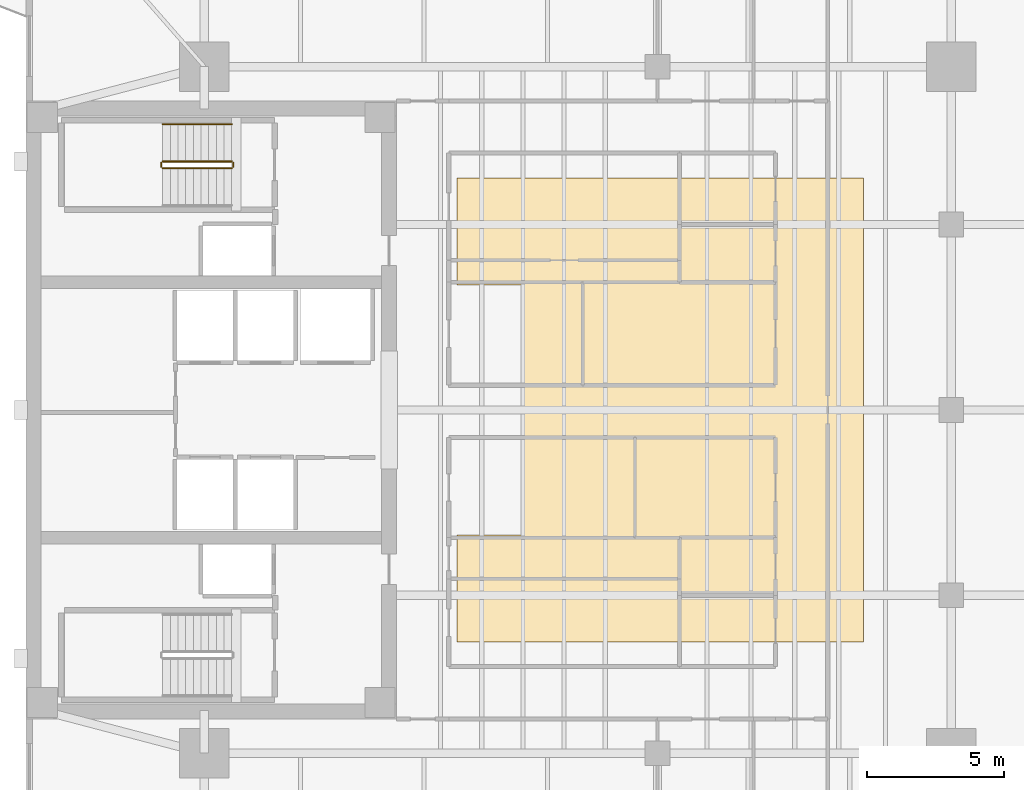
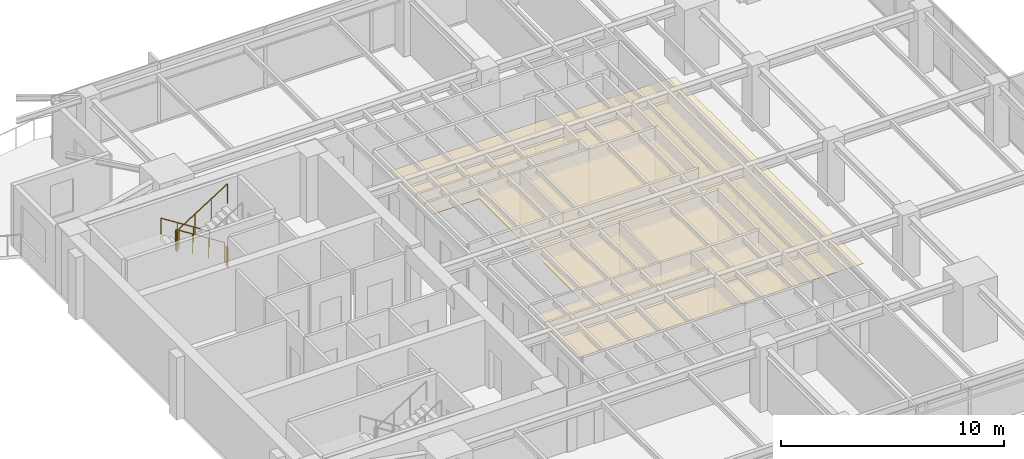
# One storey, part 13 of 14: 5 railings, 1 covering.
"""IFC4 building model written with IfcOpenShell, lengths in metres."""

from ifc_helpers import new_model, si_unit, direction, frame, origin, origin_2d, place, context, subcontext, project, spatial, polyline, circle, outline, extrude, material, layer, layer_set, type_object, element, save


model = new_model("IFC4")

# Units and contexts
model_context = context("Model", 3, precision=1e-05, world=origin(), true_north=direction((0.0, 1.0)))
body_context = subcontext(model_context, "Body", "Model", "MODEL_VIEW")
ifc_project = project(units=[si_unit("LENGTHUNIT", "METRE"), si_unit("AREAUNIT", "SQUARE_METRE"), si_unit("VOLUMEUNIT", "CUBIC_METRE"), si_unit("PLANEANGLEUNIT", "RADIAN"), si_unit("MASSUNIT", "GRAM", prefix="KILO")], contexts=[model_context])

# Site, building, storey
site_placement = place(None, origin())
site = spatial("IfcSite", under=ifc_project, at=site_placement, CompositionType="ELEMENT")
building_placement = place(site_placement, origin())
building = spatial("IfcBuilding", under=site, at=building_placement, Name="Kinhvarn Gate Tower", CompositionType="ELEMENT")
storey_placement = place(building_placement, frame((0.0, 0.0, 216.449951171875)))
storey = spatial("IfcBuildingStorey", under=building, at=storey_placement, Name="L57", CompositionType="ELEMENT", Elevation=216.449951171875)

# Covering
ifc_material_1 = material(Name="Mineral-fibre acoustic ceiling tile")
ifc_layer = layer(ifc_material_1, 0.02001953125)
ifc_layer_set = layer_set([ifc_layer], Name="Mineral-fibre acoustic ceiling tile")
covering_type = type_object("IfcCoveringType", Name="COV-CEIL-20", PredefinedType="CEILING", material=ifc_layer_set)
covering_placement = place(storey_placement, frame((0.0, 0.0, 2.650146484375)))
element("IfcCovering", 1, at=covering_placement, inside=storey, type_object=covering_type, Name="Suspended Acoustic Ceiling Tile (L57-1)", PredefinedType="CEILING", context=body_context, shape_type="SweptSolid", body=[
    extrude(outline(polyline([(35.0, 33.699951171875), (35.0, 16.800048828125), (20.199951171875, 16.800048828125), (20.199951171875, 20.699951171875), (22.60009765625, 20.699951171875), (22.60009765625, 29.800048828125), (20.199951171875, 29.800048828125), (20.199951171875, 33.699951171875), (35.0, 33.699951171875)])), origin(), (0.0, 0.0, 1.0), 0.02001953125),
])

# Railings
ifc_material_2 = material(Name="Steel S355", Category="steel")
railing_type_1 = type_object("IfcRailingType", Name="RL-ST-GRD", PredefinedType="BALUSTRADE", material=ifc_material_2)
railing_1_placement = place(storey_placement, frame((12.0, 34.300048828125, 0.177490234375)))
element("IfcRailing", 2, at=railing_1_placement, inside=storey, type_object=railing_type_1, Name="L57 ST2 stair guard 1", PredefinedType="BALUSTRADE", context=body_context, shape_type="SweptSolid", body=[
    extrude(circle(Radius=0.02392578125, at=origin_2d()), frame((0.0, 0.0, 1.076171875), z_axis=(-0.84456994832, 0.0, 0.535445237532), x_axis=(0.0, -1.0, 0.0)), (0.0, 0.0, 1.0), 2.98388671875),
    extrude(circle(Radius=0.02099609375, at=origin_2d()), origin(), (0.0, 0.0, 1.0), 1.052001953125),
    extrude(circle(Radius=0.02099609375, at=origin_2d()), frame((-0.840087890625, 0.0, 0.532470703125)), (0.0, 0.0, 1.0), 1.052001953125),
    extrude(circle(Radius=0.02099609375, at=origin_2d()), frame((-1.679931640625, 0.0, 1.065185546875)), (0.0, 0.0, 1.0), 1.052001953125),
    extrude(circle(Radius=0.02099609375, at=origin_2d()), frame((-2.52001953125, 0.0, 1.59765625)), (0.0, 0.0, 1.0), 1.052001953125),
])
railing_2_placement = place(storey_placement, frame((9.429931640625, 34.25, 1.775146484375)))
element("IfcRailing", 3, at=railing_2_placement, inside=storey, type_object=railing_type_1, Name="L57 ST2 stair guard 2", PredefinedType="BALUSTRADE", context=body_context, shape_type="SweptSolid", body=[
    extrude(circle(Radius=0.02392578125, at=origin_2d()), frame((0.0, 0.0, 1.076171875), z_axis=(0.0, -1.0, 0.0), x_axis=(1.0, 0.0, 0.0)), (0.0, 0.0, 1.0), 0.14990234375),
    extrude(circle(Radius=0.02099609375, at=origin_2d()), origin(), (0.0, 0.0, 1.0), 1.052001953125),
    extrude(circle(Radius=0.02099609375, at=origin_2d()), frame((0.0, -0.14990234375, 0.0)), (0.0, 0.0, 1.0), 1.052001953125),
])
railing_3_placement = place(storey_placement, frame((9.47998046875, 34.050048828125, 1.95263671875)))
element("IfcRailing", 4, at=railing_3_placement, inside=storey, type_object=railing_type_1, Name="L57 ST2 stair guard 3", PredefinedType="BALUSTRADE", context=body_context, shape_type="SweptSolid", body=[
    extrude(circle(Radius=0.02392578125, at=origin_2d()), frame((0.0, 0.0, 1.076171875), z_axis=(0.84460694969, 0.0, 0.535386869969), x_axis=(0.0, 1.0, 0.0)), (0.0, 0.0, 1.0), 2.983642578125),
    extrude(circle(Radius=0.02099609375, at=origin_2d()), origin(), (0.0, 0.0, 1.0), 1.052001953125),
    extrude(circle(Radius=0.02099609375, at=origin_2d()), frame((0.840087890625, 0.0, 0.532470703125)), (0.0, 0.0, 1.0), 1.052001953125),
    extrude(circle(Radius=0.02099609375, at=origin_2d()), frame((1.679931640625, 0.0, 1.06494140625)), (0.0, 0.0, 1.0), 1.052001953125),
    extrude(circle(Radius=0.02099609375, at=origin_2d()), frame((2.52001953125, 0.0, 1.597412109375)), (0.0, 0.0, 1.0), 1.052001953125),
])
railing_4_placement = place(storey_placement, frame((12.050048828125, 34.25, 0.0)))
element("IfcRailing", 5, at=railing_4_placement, inside=storey, type_object=railing_type_1, Name="L57 ST2 stair guard 4", PredefinedType="BALUSTRADE", context=body_context, shape_type="SweptSolid", body=[
    extrude(circle(Radius=0.02392578125, at=origin_2d()), frame((0.0, 0.0, 1.076171875), z_axis=(0.0, -1.0, 0.0), x_axis=(1.0, 0.0, 0.0)), (0.0, 0.0, 1.0), 0.14990234375),
    extrude(circle(Radius=0.02099609375, at=origin_2d()), origin(), (0.0, 0.0, 1.0), 1.052001953125),
    extrude(circle(Radius=0.02099609375, at=origin_2d()), frame((0.0, -0.14990234375, 0.0)), (0.0, 0.0, 1.0), 1.052001953125),
])
railing_type_2 = type_object("IfcRailingType", Name="RL-ST-HND", PredefinedType="HANDRAIL", material=ifc_material_2)
railing_5_placement = place(storey_placement, frame((12.0, 35.64990234375, 0.177490234375)))
element("IfcRailing", 6, at=railing_5_placement, inside=storey, type_object=railing_type_2, Name="L57 ST2 stair handrail 1", PredefinedType="HANDRAIL", context=body_context, shape_type="SweptSolid", body=[
    extrude(circle(Radius=0.02392578125, at=origin_2d()), frame((0.0, 0.0, 0.8759765625), z_axis=(-0.84456994832, 0.0, 0.535445237532), x_axis=(0.0, -1.0, 0.0)), (0.0, 0.0, 1.0), 2.98388671875),
    extrude(circle(Radius=0.02099609375, at=origin_2d()), origin(), (0.0, 0.0, 1.0), 0.851806640625),
    extrude(circle(Radius=0.02099609375, at=origin_2d()), frame((-0.840087890625, 0.0, 0.532470703125)), (0.0, 0.0, 1.0), 0.851806640625),
    extrude(circle(Radius=0.02099609375, at=origin_2d()), frame((-1.679931640625, 0.0, 1.065185546875)), (0.0, 0.0, 1.0), 0.851806640625),
    extrude(circle(Radius=0.02099609375, at=origin_2d()), frame((-2.52001953125, 0.0, 1.59765625)), (0.0, 0.0, 1.0), 0.851806640625),
])

save(model, "model.ifc")
